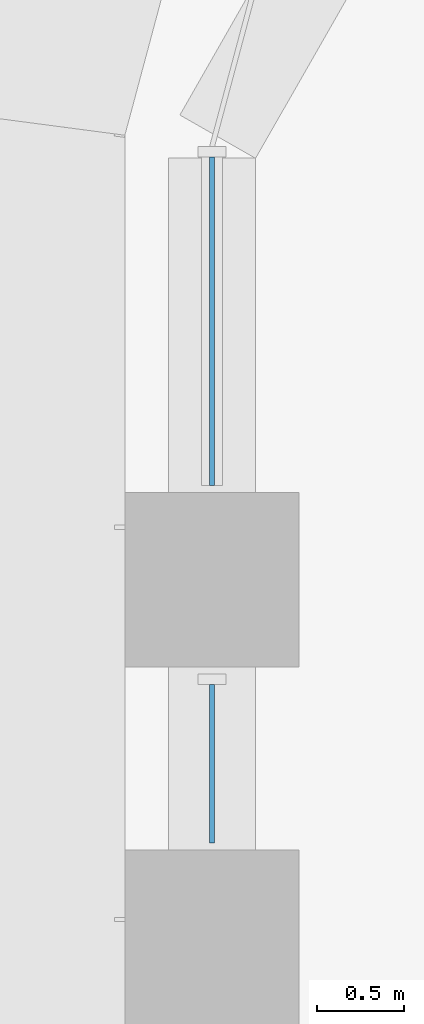
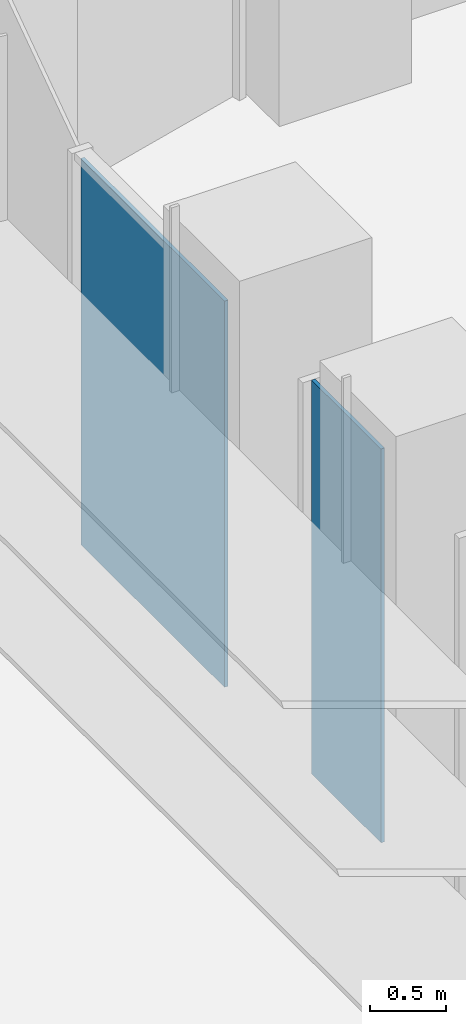
# One storey, part 14 of 26: 2 plates, 1 element without a shape of its own.
"""IFC4 building model written with IfcOpenShell, lengths in metres."""

from ifc_helpers import new_model, si_unit, direction, frame, origin, place, context, subcontext, project, spatial, polyline, outline, extrude, source, transform, mapped, material, layer, layer_set, type_object, element, aggregate, save


model = new_model("IFC4")

# Units and contexts
model_context = context("Model", 3, precision=1e-05, world=origin(), true_north=direction((0.0, 1.0)))
body_context = subcontext(model_context, "Body", "Model", "MODEL_VIEW")
ifc_project = project(units=[si_unit("LENGTHUNIT", "METRE"), si_unit("AREAUNIT", "SQUARE_METRE"), si_unit("VOLUMEUNIT", "CUBIC_METRE"), si_unit("PLANEANGLEUNIT", "RADIAN"), si_unit("MASSUNIT", "GRAM", prefix="KILO")], contexts=[model_context])

# Site, building, storey
site_placement = place(None, origin())
site = spatial("IfcSite", under=ifc_project, at=site_placement, CompositionType="ELEMENT")
building_placement = place(site_placement, origin())
building = spatial("IfcBuilding", under=site, at=building_placement, Name="Zarbagh Exchange Tower", CompositionType="ELEMENT")
storey_placement = place(building_placement, frame((0.0, 0.0, 27.0)))
storey = spatial("IfcBuildingStorey", under=building, at=storey_placement, Name="L05", CompositionType="ELEMENT", Elevation=27.0)

# Curtain wall, plates
ifc_material_1 = material(Name="Anodised aluminium frame and glazing", Category="aluminium")
curtain_wall_type = type_object("IfcCurtainWallType", Name="CWA Ribbon glazing, lower zones", PredefinedType="NOTDEFINED", material=ifc_material_1)
curtain_wall_placement = place(storey_placement, origin())
curtain_wall = element("IfcCurtainWall", 1, at=curtain_wall_placement, inside=storey, type_object=curtain_wall_type, Name="CWA28 curtain wall", PredefinedType="NOTDEFINED")
ifc_material_2 = material(Name="Low-e double glazed unit, 6+12+6 mm")
ifc_layer = layer(ifc_material_2, 0.028076171875)
ifc_layer_set = layer_set([ifc_layer], Name="PAA Glazing panel, Low-e double glazed unit, 6+12+6 mm")
plate_type = type_object("IfcPlateType", Name="PAA Glazing panel, Low-e double glazed unit, 6+12+6 mm", PredefinedType="CURTAIN_PANEL", material=ifc_layer_set)
shared_shape_1 = source(origin(), body_context, "Body", "SweptSolid", [
    extrude(outline(polyline([(0.0, -0.013916015625), (0.909912109375, -0.013916015625), (0.909912109375, 0.013916015625), (0.0, 0.013916015625), (0.0, -0.013916015625)])), origin(), (0.0, 0.0, 1.0), 3.14990234375),
])
placement = place(storey_placement, origin())
plate_1 = element("IfcPlate", 2, at=placement, type_object=plate_type, Name="CWA28 glazing panel 2.1", PredefinedType="CURTAIN_PANEL", context=body_context, shape_type="MappedRepresentation", body=[
    mapped(shared_shape_1, transform((-6.25, 26.099853515625, 0.0), x_axis=(0.0, -1.0, 0.0), y_axis=(1.0, 0.0, 0.0), z_axis=(0.0, 0.0, 1.0))),
])
shared_shape_2 = source(origin(), body_context, "Body", "SweptSolid", [
    extrude(outline(polyline([(0.0, -0.013916015625), (1.88427734375, -0.013916015625), (1.88427734375, 0.013916015625), (0.0, 0.013916015625), (0.0, -0.013916015625)])), origin(), (0.0, 0.0, 1.0), 3.090087890625),
])
plate_2 = element("IfcPlate", 3, at=placement, type_object=plate_type, Name="CWA28 glazing panel 1.1", PredefinedType="CURTAIN_PANEL", context=body_context, shape_type="MappedRepresentation", body=[
    mapped(shared_shape_2, transform((-6.25, 29.124267578125, 0.0), x_axis=(0.0, -1.0, 0.0), y_axis=(1.0, 0.0, 0.0), z_axis=(0.0, 0.0, 1.0))),
])
aggregate(curtain_wall, [plate_2, plate_1])

save(model, "model.ifc")
